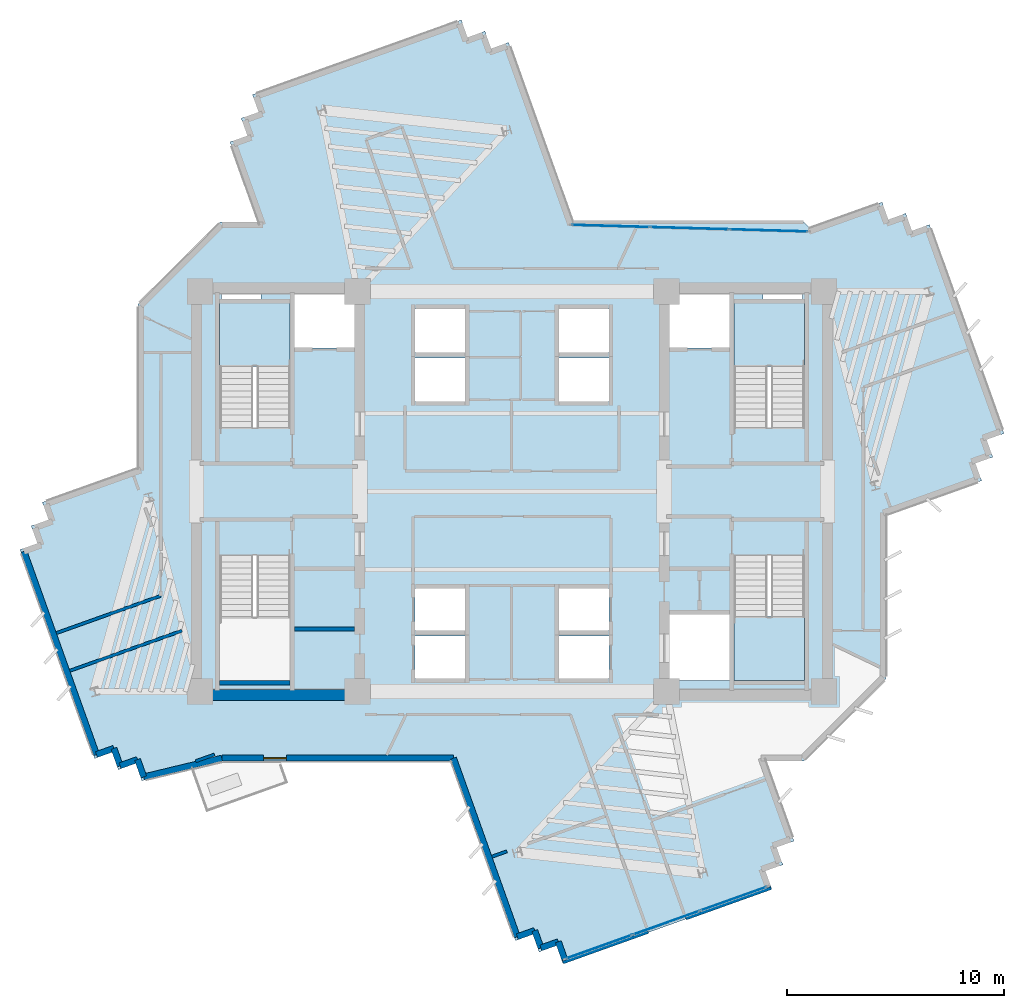
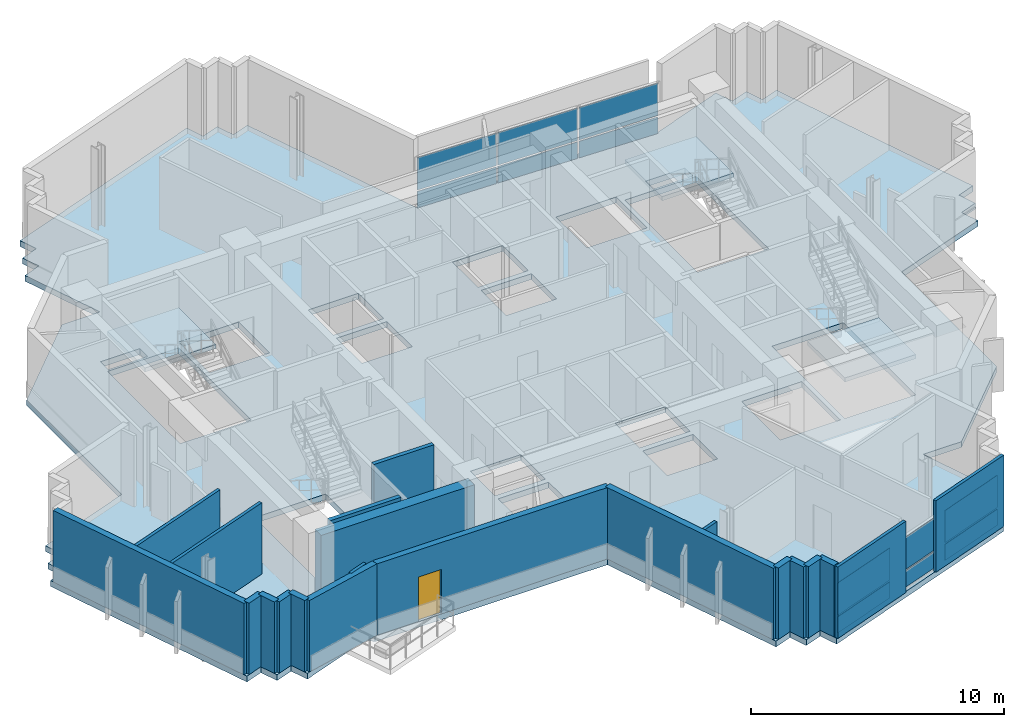
# One storey, part 5 of 13: 21 walls, 12 plates, 4 slabs, 1 door, 1 opening, 5 elements without a shape of their own.
"""IFC4 building model written with IfcOpenShell, lengths in metres."""

from ifc_helpers import new_model, si_unit, direction, frame, frame_2d, origin, origin_2d, place, context, subcontext, project, spatial, polyline, rectangle, outline, extrude, source, transform, mapped, material, layer, layer_set, type_object, element, fill, aggregate, save


model = new_model("IFC4")

# Units and contexts
model_context = context("Model", 3, precision=1e-05, world=origin(), true_north=direction((0.0, 1.0)))
body_context = subcontext(model_context, "Body", "Model", "MODEL_VIEW")
ifc_project = project(units=[si_unit("LENGTHUNIT", "METRE"), si_unit("AREAUNIT", "SQUARE_METRE"), si_unit("VOLUMEUNIT", "CUBIC_METRE"), si_unit("PLANEANGLEUNIT", "RADIAN"), si_unit("MASSUNIT", "GRAM", prefix="KILO")], contexts=[model_context])

# Site, building, storey
site_placement = place(None, origin())
site = spatial("IfcSite", under=ifc_project, at=site_placement, CompositionType="ELEMENT")
building_placement = place(site_placement, origin())
building = spatial("IfcBuilding", under=site, at=building_placement, Name="Zahravan Cultural Tower", CompositionType="ELEMENT")
storey_placement = place(building_placement, frame((0.0, 0.0, 225.300048828125)))
storey = spatial("IfcBuildingStorey", under=building, at=storey_placement, Name="L53", CompositionType="ELEMENT", Elevation=225.300048828125)

# Slab
ifc_material_1 = material(Name="Concrete C45/55", Category="concrete")
ifc_layer_1 = layer(ifc_material_1, 0.280029296875)
ifc_layer_set_1 = layer_set([ifc_layer_1], Name="Concrete C45/55")
slab_type_1 = type_object("IfcSlabType", Name="SL-LIB-280", PredefinedType="FLOOR", material=ifc_layer_set_1)
slab_1_placement = place(storey_placement, frame((0.0, 0.0, -0.280029296875)))
element("IfcSlab", 1, at=slab_1_placement, inside=storey, type_object=slab_type_1, Name="L53 Structural Floor Slab", PredefinedType="FLOOR", context=body_context, shape_type="SweptSolid", body=[
    extrude(outline(polyline([(49.68701171875, 39.113037109375), (49.39990234375, 39.39990234375), (38.78955078125, 39.39990234375), (35.840576171875, 47.65087890625), (35.040283203125, 47.364990234375), (34.754150390625, 48.165283203125), (33.95361328125, 47.87939453125), (33.667724609375, 48.6796875), (24.062744140625, 45.246826171875), (24.3486328125, 44.446533203125), (23.54833984375, 44.160400390625), (23.83447265625, 43.360107421875), (23.033935546875, 43.073974609375), (24.34716796875, 39.39990234375), (22.60009765625, 39.39990234375), (18.800048828125, 35.60009765625), (18.800048828125, 28.073974609375), (14.4072265625, 26.504150390625), (14.693359375, 25.70361328125), (13.89306640625, 25.41748046875), (14.178955078125, 24.6171875), (13.378662109375, 24.3310546875), (16.811279296875, 14.72607421875), (17.61181640625, 15.01220703125), (17.89794921875, 14.2119140625), (18.6982421875, 14.497802734375), (18.984375, 13.697509765625), (22.31298828125, 14.886962890625), (22.60009765625, 14.60009765625), (33.21044921875, 14.60009765625), (36.159423828125, 6.34912109375), (36.959716796875, 6.635009765625), (37.245849609375, 5.834716796875), (38.04638671875, 6.12060546875), (38.332275390625, 5.3203125), (47.937255859375, 8.753173828125), (47.6513671875, 9.553466796875), (48.45166015625, 9.839599609375), (48.16552734375, 10.639892578125), (48.966064453125, 10.926025390625), (47.65283203125, 14.60009765625), (49.39990234375, 14.60009765625), (53.199951171875, 18.39990234375), (53.199951171875, 25.926025390625), (57.5927734375, 27.495849609375), (57.306640625, 28.29638671875), (58.10693359375, 28.58251953125), (57.821044921875, 29.3828125), (58.621337890625, 29.6689453125), (55.188720703125, 39.27392578125), (54.38818359375, 38.98779296875), (54.10205078125, 39.7880859375), (53.3017578125, 39.502197265625), (53.015625, 40.302490234375), (49.68701171875, 39.113037109375)]), holes=[polyline([(22.550048828125, 29.949951171875), (22.550048828125, 35.699951171875), (25.800048828125, 35.699951171875), (25.800048828125, 29.949951171875), (22.550048828125, 29.949951171875)]), polyline([(22.550048828125, 18.300048828125), (22.550048828125, 24.050048828125), (25.800048828125, 24.050048828125), (25.800048828125, 18.300048828125), (22.550048828125, 18.300048828125)]), polyline([(46.199951171875, 29.949951171875), (46.199951171875, 35.699951171875), (49.449951171875, 35.699951171875), (49.449951171875, 29.949951171875), (46.199951171875, 29.949951171875)]), polyline([(46.199951171875, 18.300048828125), (46.199951171875, 24.050048828125), (49.449951171875, 24.050048828125), (49.449951171875, 18.300048828125), (46.199951171875, 18.300048828125)]), polyline([(26.0, 33.60009765625), (26.0, 36.050048828125), (28.75, 36.050048828125), (28.75, 33.60009765625), (26.0, 33.60009765625)]), polyline([(43.25, 33.60009765625), (43.25, 36.050048828125), (46.0, 36.050048828125), (46.0, 33.60009765625), (43.25, 33.60009765625)]), polyline([(43.25, 18.300048828125), (43.25, 21.35009765625), (46.0, 21.35009765625), (46.0, 18.300048828125), (43.25, 18.300048828125)]), polyline([(31.550048828125, 33.39990234375), (31.550048828125, 35.39990234375), (33.85009765625, 35.39990234375), (33.85009765625, 33.39990234375), (31.550048828125, 33.39990234375)]), polyline([(31.550048828125, 31.14990234375), (31.550048828125, 33.14990234375), (33.85009765625, 33.14990234375), (33.85009765625, 31.14990234375), (31.550048828125, 31.14990234375)]), polyline([(38.14990234375, 33.39990234375), (38.14990234375, 35.39990234375), (40.449951171875, 35.39990234375), (40.449951171875, 33.39990234375), (38.14990234375, 33.39990234375)]), polyline([(38.14990234375, 31.14990234375), (38.14990234375, 33.14990234375), (40.449951171875, 33.14990234375), (40.449951171875, 31.14990234375), (38.14990234375, 31.14990234375)]), polyline([(31.550048828125, 20.60009765625), (31.550048828125, 22.550048828125), (33.85009765625, 22.550048828125), (33.85009765625, 20.60009765625), (31.550048828125, 20.60009765625)]), polyline([(31.550048828125, 18.39990234375), (31.550048828125, 20.35009765625), (33.85009765625, 20.35009765625), (33.85009765625, 18.39990234375), (31.550048828125, 18.39990234375)]), polyline([(38.14990234375, 20.60009765625), (38.14990234375, 22.550048828125), (40.449951171875, 22.550048828125), (40.449951171875, 20.60009765625), (38.14990234375, 20.60009765625)]), polyline([(38.14990234375, 18.39990234375), (38.14990234375, 20.35009765625), (40.449951171875, 20.35009765625), (40.449951171875, 18.39990234375), (38.14990234375, 18.39990234375)]), polyline([(22.64990234375, 35.800048828125), (22.64990234375, 36.419921875), (24.449951171875, 36.419921875), (24.449951171875, 35.800048828125), (22.64990234375, 35.800048828125)]), polyline([(47.550048828125, 35.800048828125), (47.550048828125, 36.419921875), (49.35009765625, 36.419921875), (49.35009765625, 35.800048828125), (47.550048828125, 35.800048828125)])]), origin(), (0.0, 0.0, 1.0), 0.280029296875),
])

# Stair, slab
stair_type = type_object("IfcStairType", Name="STR-DL-1550-390", PredefinedType="HALF_TURN_STAIR", material=ifc_material_1)
stair_1_placement = place(storey_placement, origin())
stair_1 = element("IfcStair", 2, at=stair_1_placement, inside=storey, type_object=stair_type, Name="L53 West Core North Exit Stair ST-W1", PredefinedType="HALF_TURN_STAIR")
ifc_layer_2 = layer(ifc_material_1, 0.199951171875)
ifc_layer_set_2 = layer_set([ifc_layer_2], Name="Concrete C45/55")
slab_type_2 = type_object("IfcSlabType", Name="SL-STAIR-LND200", PredefinedType="LANDING", material=ifc_layer_set_2)
slab_2_placement = place(storey_placement, frame((0.0, 0.0, 1.75)))
slab_2 = element("IfcSlab", 3, at=slab_2_placement, type_object=slab_type_2, Name="ST-W1 landing 1", PredefinedType="LANDING", context=body_context, shape_type="SweptSolid", body=[
    extrude(outline(polyline([(25.800048828125, 32.75), (25.800048828125, 35.699951171875), (22.550048828125, 35.699951171875), (22.550048828125, 32.75), (25.800048828125, 32.75)])), origin(), (0.0, 0.0, 1.0), 0.199951171875),
])
aggregate(stair_1, [slab_2])

stair_2_placement = place(storey_placement, origin())
stair_2 = element("IfcStair", 4, at=stair_2_placement, inside=storey, type_object=stair_type, Name="L53 East Core North Exit Stair ST-E1", PredefinedType="HALF_TURN_STAIR")
slab_3_placement = place(storey_placement, frame((0.0, 0.0, 1.75)))
slab_3 = element("IfcSlab", 5, at=slab_3_placement, type_object=slab_type_2, Name="ST-E1 landing 1", PredefinedType="LANDING", context=body_context, shape_type="SweptSolid", body=[
    extrude(outline(polyline([(49.449951171875, 32.75), (49.449951171875, 35.699951171875), (46.199951171875, 35.699951171875), (46.199951171875, 32.75), (49.449951171875, 32.75)])), origin(), (0.0, 0.0, 1.0), 0.199951171875),
])
aggregate(stair_2, [slab_3])

stair_3_placement = place(storey_placement, origin())
stair_3 = element("IfcStair", 6, at=stair_3_placement, inside=storey, type_object=stair_type, Name="L53 East Core South Exit Stair ST-E2", PredefinedType="HALF_TURN_STAIR")
slab_4_placement = place(storey_placement, frame((0.0, 0.0, 1.75)))
slab_4 = element("IfcSlab", 7, at=slab_4_placement, type_object=slab_type_2, Name="ST-E2 landing 1", PredefinedType="LANDING", context=body_context, shape_type="SweptSolid", body=[
    extrude(outline(polyline([(46.199951171875, 21.25), (46.199951171875, 18.300048828125), (49.449951171875, 18.300048828125), (49.449951171875, 21.25), (46.199951171875, 21.25)])), origin(), (0.0, 0.0, 1.0), 0.199951171875),
])
aggregate(stair_3, [slab_4])

# Curtain wall, plates
ifc_material_2 = material(Name="Anodised bronze-aluminium mullion", Category="aluminium")
ifc_layer_3 = layer(ifc_material_2, 0.199951171875)
ifc_layer_set_3 = layer_set([ifc_layer_3], Name="Anodised bronze-aluminium mullion")
curtain_wall_type_1 = type_object("IfcCurtainWallType", Name="CW-SYS-2", PredefinedType="USERDEFINED", material=ifc_layer_set_3)
curtain_wall_1_placement = place(storey_placement, origin())
curtain_wall_1 = element("IfcCurtainWall", 8, at=curtain_wall_1_placement, inside=storey, type_object=curtain_wall_type_1, Name="L53 Recessed Curtain Wall CW-2.1", ObjectType="RECESSED GLAZING", PredefinedType="USERDEFINED")
ifc_material_3 = material(Name="Low-E solar-control double glazing", Category="glass")
ifc_layer_4 = layer(ifc_material_3, 0.030029296875)
ifc_layer_set_4 = layer_set([ifc_layer_4], Name="Low-E solar-control double glazing")
plate_type_1 = type_object("IfcPlateType", Name="CWP-CW-2", PredefinedType="CURTAIN_PANEL", material=ifc_layer_set_4)
shared_shape_1 = source(origin(), body_context, "Body", "SweptSolid", [
    extrude(rectangle(XDim=3.194091796875, YDim=0.030029296875, at=origin_2d()), origin(), (0.0, 0.0, 1.0), 0.78759765625),
])
plate_1_placement = place(storey_placement, frame((46.183837890625, 8.275146484375, 0.074951171875), z_axis=(0.0, 0.0, 1.0), x_axis=(-0.941668907727, -0.336540737832, 0.0)))
plate_1 = element("IfcPlate", 9, at=plate_1_placement, type_object=plate_type_1, Name="CW-2 panel 1.1", PredefinedType="CURTAIN_PANEL", context=body_context, shape_type="MappedRepresentation", body=[
    mapped(shared_shape_1, transform((0.0, 0.0, 0.0), x_axis=(1.0, 0.0, 0.0), y_axis=(0.0, 1.0, 0.0), z_axis=(0.0, 0.0, 1.0), scale=1.0)),
])
plate_2_placement = place(storey_placement, frame((39.991455078125, 6.06201171875, 0.074951171875), z_axis=(0.0, 0.0, 1.0), x_axis=(-0.941668907727, -0.336540737832, 0.0)))
plate_2 = element("IfcPlate", 10, at=plate_2_placement, type_object=plate_type_1, Name="CW-2 panel 3.1", PredefinedType="CURTAIN_PANEL", context=body_context, shape_type="MappedRepresentation", body=[
    mapped(shared_shape_1, transform((0.0, 0.0, 0.0), x_axis=(1.0, 0.0, 0.0), y_axis=(0.0, 1.0, 0.0), z_axis=(0.0, 0.0, 1.0), scale=1.0)),
])
shared_shape_2 = source(origin(), body_context, "Body", "SweptSolid", [
    extrude(rectangle(XDim=3.231689453125, YDim=0.030029296875, at=origin_2d()), origin(), (0.0, 0.0, 1.0), 0.78759765625),
])
plate_3_placement = place(storey_placement, frame((43.087646484375, 7.16845703125, 0.074951171875), z_axis=(0.0, 0.0, 1.0), x_axis=(-0.941668907727, -0.336540737832, 0.0)))
plate_3 = element("IfcPlate", 11, at=plate_3_placement, type_object=plate_type_1, Name="CW-2 panel 2.1", PredefinedType="CURTAIN_PANEL", context=body_context, shape_type="MappedRepresentation", body=[
    mapped(shared_shape_2, transform((0.0, 0.0, 0.0), x_axis=(1.0, 0.0, 0.0), y_axis=(0.0, 1.0, 0.0), z_axis=(0.0, 0.0, 1.0), scale=1.0)),
])

ifc_layer_5 = layer(ifc_material_2, 0.179931640625)
ifc_layer_set_5 = layer_set([ifc_layer_5], Name="Anodised bronze-aluminium mullion")
curtain_wall_type_2 = type_object("IfcCurtainWallType", Name="CW-SYS-3", PredefinedType="USERDEFINED", material=ifc_layer_set_5)
curtain_wall_2_placement = place(storey_placement, origin())
curtain_wall_2 = element("IfcCurtainWall", 12, at=curtain_wall_2_placement, inside=storey, type_object=curtain_wall_type_2, Name="L53 Recessed Curtain Wall CW-3.2", ObjectType="RECESSED GLAZING", PredefinedType="USERDEFINED")
ifc_layer_6 = layer(ifc_material_3, 0.028076171875)
ifc_layer_set_6 = layer_set([ifc_layer_6], Name="Low-E solar-control double glazing")
plate_type_2 = type_object("IfcPlateType", Name="CWP-CW-3", PredefinedType="CURTAIN_PANEL", material=ifc_layer_set_6)
shared_shape_3 = source(origin(), body_context, "Body", "SweptSolid", [
    extrude(rectangle(XDim=3.5498046875, YDim=0.028076171875, at=origin_2d()), origin(), (0.0, 0.0, 1.0), 0.794921875),
])
plate_4_placement = place(storey_placement, frame((40.534912109375, 39.2080078125, 0.070068359375), z_axis=(0.0, 0.0, 1.0), x_axis=(0.999603557974, -0.028155405977, 0.0)))
plate_4 = element("IfcPlate", 13, at=plate_4_placement, type_object=plate_type_2, Name="CW-3 panel 1.1", PredefinedType="CURTAIN_PANEL", context=body_context, shape_type="MappedRepresentation", body=[
    mapped(shared_shape_3, transform((0.0, 0.0, 0.0), x_axis=(1.0, 0.0, 0.0), y_axis=(0.0, 1.0, 0.0), z_axis=(0.0, 0.0, 1.0), scale=1.0)),
])
plate_5_placement = place(storey_placement, frame((47.806640625, 39.003173828125, 0.070068359375), z_axis=(0.0, 0.0, 1.0), x_axis=(0.999603557974, -0.028155405977, 0.0)))
plate_5 = element("IfcPlate", 14, at=plate_5_placement, type_object=plate_type_2, Name="CW-3 panel 3.1", PredefinedType="CURTAIN_PANEL", context=body_context, shape_type="MappedRepresentation", body=[
    mapped(shared_shape_3, transform((0.0, 0.0, 0.0), x_axis=(1.0, 0.0, 0.0), y_axis=(0.0, 1.0, 0.0), z_axis=(0.0, 0.0, 1.0), scale=1.0)),
])
shared_shape_4 = source(origin(), body_context, "Body", "SweptSolid", [
    extrude(rectangle(XDim=3.584716796875, YDim=0.028076171875, at=origin_2d()), origin(), (0.0, 0.0, 1.0), 0.794921875),
])
plate_6_placement = place(storey_placement, frame((44.1708984375, 39.105712890625, 0.070068359375), z_axis=(0.0, 0.0, 1.0), x_axis=(0.999603557974, -0.028155405977, 0.0)))
plate_6 = element("IfcPlate", 15, at=plate_6_placement, type_object=plate_type_2, Name="CW-3 panel 2.1", PredefinedType="CURTAIN_PANEL", context=body_context, shape_type="MappedRepresentation", body=[
    mapped(shared_shape_4, transform((0.0, 0.0, 0.0), x_axis=(1.0, 0.0, 0.0), y_axis=(0.0, 1.0, 0.0), z_axis=(0.0, 0.0, 1.0), scale=1.0)),
])

# Plate
shared_shape_5 = source(origin(), body_context, "Body", "SweptSolid", [
    extrude(rectangle(XDim=3.194091796875, YDim=0.030029296875, at=origin_2d()), origin(), (0.0, 0.0, 1.0), 1.5576171875),
])
plate_7_placement = place(storey_placement, frame((46.183837890625, 8.275146484375, 0.9375), z_axis=(0.0, 0.0, 1.0), x_axis=(-0.941668907727, -0.336540737832, 0.0)))
plate_7 = element("IfcPlate", 16, at=plate_7_placement, type_object=plate_type_1, Name="CW-2 panel 1.2", PredefinedType="CURTAIN_PANEL", context=body_context, shape_type="MappedRepresentation", body=[
    mapped(shared_shape_5, transform((0.0, 0.0, 0.0), x_axis=(1.0, 0.0, 0.0), y_axis=(0.0, 1.0, 0.0), z_axis=(0.0, 0.0, 1.0), scale=1.0)),
])

plate_8_placement = place(storey_placement, frame((39.991455078125, 6.06201171875, 0.9375), z_axis=(0.0, 0.0, 1.0), x_axis=(-0.941668907727, -0.336540737832, 0.0)))
plate_8 = element("IfcPlate", 17, at=plate_8_placement, type_object=plate_type_1, Name="CW-2 panel 3.2", PredefinedType="CURTAIN_PANEL", context=body_context, shape_type="MappedRepresentation", body=[
    mapped(shared_shape_5, transform((0.0, 0.0, 0.0), x_axis=(1.0, 0.0, 0.0), y_axis=(0.0, 1.0, 0.0), z_axis=(0.0, 0.0, 1.0), scale=1.0)),
])

shared_shape_6 = source(origin(), body_context, "Body", "SweptSolid", [
    extrude(rectangle(XDim=3.231689453125, YDim=0.030029296875, at=origin_2d()), origin(), (0.0, 0.0, 1.0), 1.5576171875),
])
plate_9_placement = place(storey_placement, frame((43.087646484375, 7.16845703125, 0.9375), z_axis=(0.0, 0.0, 1.0), x_axis=(-0.941668907727, -0.336540737832, 0.0)))
plate_9 = element("IfcPlate", 18, at=plate_9_placement, type_object=plate_type_1, Name="CW-2 panel 2.2", PredefinedType="CURTAIN_PANEL", context=body_context, shape_type="MappedRepresentation", body=[
    mapped(shared_shape_6, transform((0.0, 0.0, 0.0), x_axis=(1.0, 0.0, 0.0), y_axis=(0.0, 1.0, 0.0), z_axis=(0.0, 0.0, 1.0), scale=1.0)),
])

aggregate(curtain_wall_1, [plate_1, plate_7, plate_3, plate_9, plate_2, plate_8])

shared_shape_7 = source(origin(), body_context, "Body", "SweptSolid", [
    extrude(rectangle(XDim=3.5498046875, YDim=0.028076171875, at=origin_2d()), origin(), (0.0, 0.0, 1.0), 1.56494140625),
])
plate_10_placement = place(storey_placement, frame((40.534912109375, 39.2080078125, 0.93505859375), z_axis=(0.0, 0.0, 1.0), x_axis=(0.999603557974, -0.028155405977, 0.0)))
plate_10 = element("IfcPlate", 19, at=plate_10_placement, type_object=plate_type_2, Name="CW-3 panel 1.2", PredefinedType="CURTAIN_PANEL", context=body_context, shape_type="MappedRepresentation", body=[
    mapped(shared_shape_7, transform((0.0, 0.0, 0.0), x_axis=(1.0, 0.0, 0.0), y_axis=(0.0, 1.0, 0.0), z_axis=(0.0, 0.0, 1.0), scale=1.0)),
])

plate_11_placement = place(storey_placement, frame((47.806640625, 39.003173828125, 0.93505859375), z_axis=(0.0, 0.0, 1.0), x_axis=(0.999603557974, -0.028155405977, 0.0)))
plate_11 = element("IfcPlate", 20, at=plate_11_placement, type_object=plate_type_2, Name="CW-3 panel 3.2", PredefinedType="CURTAIN_PANEL", context=body_context, shape_type="MappedRepresentation", body=[
    mapped(shared_shape_7, transform((0.0, 0.0, 0.0), x_axis=(1.0, 0.0, 0.0), y_axis=(0.0, 1.0, 0.0), z_axis=(0.0, 0.0, 1.0), scale=1.0)),
])

shared_shape_8 = source(origin(), body_context, "Body", "SweptSolid", [
    extrude(rectangle(XDim=3.584716796875, YDim=0.028076171875, at=origin_2d()), origin(), (0.0, 0.0, 1.0), 1.56494140625),
])
plate_12_placement = place(storey_placement, frame((44.1708984375, 39.105712890625, 0.93505859375), z_axis=(0.0, 0.0, 1.0), x_axis=(0.999603557974, -0.028155405977, 0.0)))
plate_12 = element("IfcPlate", 21, at=plate_12_placement, type_object=plate_type_2, Name="CW-3 panel 2.2", PredefinedType="CURTAIN_PANEL", context=body_context, shape_type="MappedRepresentation", body=[
    mapped(shared_shape_8, transform((0.0, 0.0, 0.0), x_axis=(1.0, 0.0, 0.0), y_axis=(0.0, 1.0, 0.0), z_axis=(0.0, 0.0, 1.0), scale=1.0)),
])

aggregate(curtain_wall_2, [plate_4, plate_10, plate_6, plate_12, plate_5, plate_11])

# Wall, opening, door
ifc_material_4 = material(Name="Precast concrete C40/50", Category="concrete")
ifc_layer_7 = layer(ifc_material_4, 0.280029296875)
ifc_layer_set_7 = layer_set([ifc_layer_7], Name="Precast concrete C40/50")
wall_type_1 = type_object("IfcWallType", Name="EW-TC-280", PredefinedType="SOLIDWALL", material=ifc_layer_set_7)
wall_1_placement = place(storey_placement, frame((33.30908203125, 14.739990234375, 0.0), z_axis=(0.0, 0.0, 1.0), x_axis=(-1.0, 0.0, 0.0)))
wall_1 = element("IfcWall", 22, at=wall_1_placement, inside=storey, type_object=wall_type_1, Name="L53 Exterior Masonry Frame Wall 25", PredefinedType="SOLIDWALL", context=body_context, shape_type="SweptSolid", body=[
    extrude(rectangle(XDim=10.651123046875, YDim=0.280029296875, at=frame_2d((5.32568359375, 0.0))), origin(), (0.0, 0.0, 1.0), 3.449951171875),
])
opening_placement = place(wall_1_placement, frame((7.680908203125, 0.0, 0.0)))
opening = element("IfcOpeningElement", 23, at=opening_placement, cuts=wall_1, Name="Opening D-L53-TR-SW", PredefinedType="OPENING", context=body_context, shape_type="SweptSolid", body=[
    extrude(rectangle(XDim=1.050048828125, YDim=2.14990234375, at=frame_2d((0.52490234375, 1.074951171875))), frame((0.0, 0.14990234375, 0.0), z_axis=(0.0, -1.0, 0.0), x_axis=(1.0, 0.0, 0.0)), (0.0, 0.0, 1.0), 0.300048828125),
])
door_type = type_object("IfcDoorType", Name="DR-TERR-1050", OperationType="NOTDEFINED", PredefinedType="DOOR", material=ifc_material_2)
shared_shape_9 = source(origin(), body_context, "Body", "SweptSolid", [
    extrude(rectangle(XDim=1.050048828125, YDim=2.14990234375, at=frame_2d((0.52490234375, 1.074951171875))), frame((0.0, 0.02490234375, 0.0), z_axis=(0.0, -1.0, 0.0), x_axis=(1.0, 0.0, 0.0)), (0.0, 0.0, 1.0), 0.050048828125),
])
door_placement = place(opening_placement, origin())
door = element("IfcDoor", 24, at=door_placement, inside=storey, type_object=door_type, Name="L53 Terrace Access Door SW", OperationType="SINGLE_SWING_RIGHT", OverallHeight=2.14990234375, OverallWidth=1.050048828125, PredefinedType="DOOR", context=body_context, shape_type="MappedRepresentation", body=[
    mapped(shared_shape_9, transform((0.0, 0.0, 0.0), x_axis=(1.0, 0.0, 0.0), y_axis=(0.0, 1.0, 0.0), z_axis=(0.0, 0.0, 1.0), scale=1.0)),
])
fill(opening, door)

# Walls
ifc_material_5 = material(Name="Concrete C60/75", Category="concrete")
ifc_layer_8 = layer(ifc_material_5, 0.5)
ifc_layer_set_8 = layer_set([ifc_layer_8], Name="Concrete C60/75")
wall_type_2 = type_object("IfcWallType", Name="CW-SHEAR-500-C60", PredefinedType="SHEAR", material=ifc_layer_set_8)
shared_shape_10 = source(origin(), body_context, "Body", "SweptSolid", [
    extrude(rectangle(XDim=7.0, YDim=0.5, at=frame_2d((3.5, 0.0))), origin(), (0.0, 0.0, 1.0), 3.449951171875),
])
wall_2_placement = place(storey_placement, frame((21.75, 17.64990234375, 0.0), z_axis=(0.0, 0.0, 1.0), x_axis=(1.0, 0.0, 0.0)))
element("IfcWall", 25, at=wall_2_placement, inside=storey, type_object=wall_type_2, Name="L53 Core Shear Wall CW-W-S-L53", PredefinedType="SHEAR", context=body_context, shape_type="MappedRepresentation", body=[
    mapped(shared_shape_10, transform((0.0, 0.0, 0.0), x_axis=(1.0, 0.0, 0.0), y_axis=(0.0, 1.0, 0.0), z_axis=(0.0, 0.0, 1.0), scale=1.0)),
])
shared_shape_11 = source(origin(), body_context, "Body", "SweptSolid", [
    extrude(rectangle(XDim=0.850341796875, YDim=0.280029296875, at=frame_2d((0.42529296875, 0.0))), origin(), (0.0, 0.0, 1.0), 3.449951171875),
])
wall_3_placement = place(storey_placement, frame((19.069091796875, 13.876220703125, 0.0), z_axis=(0.0, 0.0, 1.0), x_axis=(-0.336481891926, 0.941689936447, 0.0)))
element("IfcWall", 26, at=wall_3_placement, inside=storey, type_object=wall_type_1, Name="L53 Exterior Masonry Frame Wall 27", PredefinedType="SOLIDWALL", context=body_context, shape_type="MappedRepresentation", body=[
    mapped(shared_shape_11, transform((0.0, 0.0, 0.0), x_axis=(1.0, 0.0, 0.0), y_axis=(0.0, 1.0, 0.0), z_axis=(0.0, 0.0, 1.0), scale=1.0)),
])
shared_shape_12 = source(origin(), body_context, "Body", "SweptSolid", [
    extrude(rectangle(XDim=0.849853515625, YDim=0.280029296875, at=frame_2d((0.4248046875, 0.0))), origin(), (0.0, 0.0, 1.0), 3.449951171875),
])
for number, where, z_axis, x_axis, name in (
    (27, (37.33056640625, 6.013671875, 0.0), (0.0, 0.0, 1.0), (-0.33666392638, 0.941624872587, 0.0), "L53 Exterior Masonry Frame Wall 22"),
    (28, (37.04443359375, 6.81396484375, 0.0), (0.0, 0.0, 1.0), (-0.941624872587, -0.33666392638, 0.0), "L53 Exterior Masonry Frame Wall 23"),
    (29, (18.782958984375, 14.677001953125, 0.0), (0.0, 0.0, 1.0), (-0.941624872587, -0.33666392638, 0.0), "L53 Exterior Masonry Frame Wall 28"),
    (30, (17.982666015625, 14.390869140625, 0.0), (0.0, 0.0, 1.0), (-0.33666392638, 0.941624872587, 0.0), "L53 Exterior Masonry Frame Wall 29"),
):
    element("IfcWall", number, at=place(storey_placement, frame(where, z_axis=z_axis, x_axis=x_axis)), inside=storey, type_object=wall_type_1, Name=name, PredefinedType="SOLIDWALL", context=body_context, shape_type="MappedRepresentation", body=[
        mapped(shared_shape_12, transform((0.0, 0.0, 0.0), x_axis=(1.0, 0.0, 0.0), y_axis=(0.0, 1.0, 0.0), z_axis=(0.0, 0.0, 1.0), scale=1.0)),
    ])
shared_shape_13 = source(origin(), body_context, "Body", "SweptSolid", [
    extrude(rectangle(XDim=0.85009765625, YDim=0.280029296875, at=frame_2d((0.425048828125, 0.0))), origin(), (0.0, 0.0, 1.0), 3.449951171875),
])
for number, where, z_axis, x_axis, name in (
    (31, (38.4169921875, 5.499267578125, 0.0), (0.0, 0.0, 1.0), (-0.336318202891, 0.941748409292, 0.0), "L53 Exterior Masonry Frame Wall 20"),
    (32, (38.131103515625, 6.2998046875, 0.0), (0.0, 0.0, 1.0), (-0.941657417713, -0.336572886112, 0.0), "L53 Exterior Masonry Frame Wall 21"),
    (33, (17.696533203125, 15.191162109375, 0.0), (0.0, 0.0, 1.0), (-0.941657417713, -0.336572886112, 0.0), "L53 Exterior Masonry Frame Wall 30"),
):
    element("IfcWall", number, at=place(storey_placement, frame(where, z_axis=z_axis, x_axis=x_axis)), inside=storey, type_object=wall_type_1, Name=name, PredefinedType="SOLIDWALL", context=body_context, shape_type="MappedRepresentation", body=[
        mapped(shared_shape_13, transform((0.0, 0.0, 0.0), x_axis=(1.0, 0.0, 0.0), y_axis=(0.0, 1.0, 0.0), z_axis=(0.0, 0.0, 1.0), scale=1.0)),
    ])
shared_shape_14 = source(origin(), body_context, "Body", "SweptSolid", [
    extrude(rectangle(XDim=9.919921875, YDim=0.280029296875, at=frame_2d((4.9599609375, 0.0))), origin(), (0.0, 0.0, 1.0), 3.449951171875),
])
wall_4_placement = place(storey_placement, frame((16.89599609375, 14.905029296875, 0.0), z_axis=(0.0, 0.0, 1.0), x_axis=(-0.336532833412, 0.941671732631, 0.0)))
element("IfcWall", 34, at=wall_4_placement, inside=storey, type_object=wall_type_1, Name="L53 Exterior Masonry Frame Wall 31", PredefinedType="SOLIDWALL", context=body_context, shape_type="MappedRepresentation", body=[
    mapped(shared_shape_14, transform((0.0, 0.0, 0.0), x_axis=(1.0, 0.0, 0.0), y_axis=(0.0, 1.0, 0.0), z_axis=(0.0, 0.0, 1.0), scale=1.0)),
])
shared_shape_15 = source(origin(), body_context, "Body", "SweptSolid", [
    extrude(rectangle(XDim=8.720947265625, YDim=0.280029296875, at=frame_2d((4.3603515625, 0.0))), origin(), (0.0, 0.0, 1.0), 3.449951171875),
])
wall_5_placement = place(storey_placement, frame((36.244140625, 6.52783203125, 0.0), z_axis=(0.0, 0.0, 1.0), x_axis=(-0.336554520074, 0.941663982011, 0.0)))
element("IfcWall", 35, at=wall_5_placement, inside=storey, type_object=wall_type_1, Name="L53 Exterior Masonry Frame Wall 24", PredefinedType="SOLIDWALL", context=body_context, shape_type="MappedRepresentation", body=[
    mapped(shared_shape_15, transform((0.0, 0.0, 0.0), x_axis=(1.0, 0.0, 0.0), y_axis=(0.0, 1.0, 0.0), z_axis=(0.0, 0.0, 1.0), scale=1.0)),
])
shared_shape_16 = source(origin(), body_context, "Body", "SweptSolid", [
    extrude(rectangle(XDim=3.69140625, YDim=0.280029296875, at=frame_2d((1.845703125, 0.0))), origin(), (0.0, 0.0, 1.0), 3.449951171875),
])
wall_6_placement = place(storey_placement, frame((22.657958984375, 14.739990234375, 0.0), z_axis=(0.0, 0.0, 1.0), x_axis=(-0.972237013355, -0.233998268929, 0.0)))
element("IfcWall", 36, at=wall_6_placement, inside=storey, type_object=wall_type_1, Name="L53 Exterior Masonry Frame Wall 26", PredefinedType="SOLIDWALL", context=body_context, shape_type="MappedRepresentation", body=[
    mapped(shared_shape_16, transform((0.0, 0.0, 0.0), x_axis=(1.0, 0.0, 0.0), y_axis=(0.0, 1.0, 0.0), z_axis=(0.0, 0.0, 1.0), scale=1.0)),
])
ifc_layer_9 = layer(ifc_material_1, 0.199951171875)
ifc_layer_set_9 = layer_set([ifc_layer_9], Name="Concrete C45/55")
wall_type_3 = type_object("IfcWallType", Name="W-SHAFT-200", PredefinedType="SOLIDWALL", material=ifc_layer_set_9)
shared_shape_17 = source(origin(), body_context, "Body", "SweptSolid", [
    extrude(rectangle(XDim=3.25, YDim=0.199951171875, at=frame_2d((1.625, 0.0))), origin(), (0.0, 0.0, 1.0), 3.449951171875),
])
wall_7_placement = place(storey_placement, frame((22.550048828125, 18.199951171875, 0.0), z_axis=(0.0, 0.0, 1.0), x_axis=(1.0, 0.0, 0.0)))
element("IfcWall", 37, at=wall_7_placement, inside=storey, type_object=wall_type_3, Name="L53 Interior Wall 019", PredefinedType="SOLIDWALL", context=body_context, shape_type="MappedRepresentation", body=[
    mapped(shared_shape_17, transform((0.0, 0.0, 0.0), x_axis=(1.0, 0.0, 0.0), y_axis=(0.0, 1.0, 0.0), z_axis=(0.0, 0.0, 1.0), scale=1.0)),
])
ifc_material_6 = material(Name="Gypsum plasterboard partition")
ifc_layer_10 = layer(ifc_material_6, 0.179931640625)
ifc_layer_set_10 = layer_set([ifc_layer_10], Name="Gypsum plasterboard partition")
wall_type_4 = type_object("IfcWallType", Name="W-COMP-180", PredefinedType="PARTITIONING", material=ifc_layer_set_10)
shared_shape_18 = source(origin(), body_context, "Body", "SweptSolid", [
    extrude(rectangle(XDim=2.75, YDim=0.179931640625, at=frame_2d((1.375, 0.0))), origin(), (0.0, 0.0, 1.0), 3.449951171875),
])
wall_8_placement = place(storey_placement, frame((26.0, 20.679931640625, 0.0), z_axis=(0.0, 0.0, 1.0), x_axis=(1.0, 0.0, 0.0)))
element("IfcWall", 38, at=wall_8_placement, inside=storey, type_object=wall_type_4, Name="L53 Interior Wall 026", PredefinedType="PARTITIONING", context=body_context, shape_type="MappedRepresentation", body=[
    mapped(shared_shape_18, transform((0.0, 0.0, 0.0), x_axis=(1.0, 0.0, 0.0), y_axis=(0.0, 1.0, 0.0), z_axis=(0.0, 0.0, 1.0), scale=1.0)),
])
ifc_layer_11 = layer(ifc_material_6, 0.139892578125)
ifc_layer_set_11 = layer_set([ifc_layer_11], Name="Gypsum plasterboard partition")
wall_type_5 = type_object("IfcWallType", Name="W-PART-140", PredefinedType="PARTITIONING", material=ifc_layer_set_11)
shared_shape_19 = source(origin(), body_context, "Body", "SweptSolid", [
    extrude(rectangle(XDim=4.159912109375, YDim=0.139892578125, at=frame_2d((2.080078125, 0.0))), origin(), (0.0, 0.0, 1.0), 3.449951171875),
])
for number, where, z_axis, x_axis, name in (
    (39, (47.91162109375, 8.76513671875, 0.0), (0.0, 0.0, 1.0), (-0.94167417377, -0.336526002642, 0.0), "L53 Interior Wall 084"),
    (40, (42.26171875, 6.745849609375, 0.0), (0.0, 0.0, 1.0), (-0.94167417377, -0.336526002642, 0.0), "L53 Interior Wall 090"),
):
    element("IfcWall", number, at=place(storey_placement, frame(where, z_axis=z_axis, x_axis=x_axis)), inside=storey, type_object=wall_type_5, Name=name, PredefinedType="PARTITIONING", context=body_context, shape_type="MappedRepresentation", body=[
        mapped(shared_shape_19, transform((0.0, 0.0, 0.0), x_axis=(1.0, 0.0, 0.0), y_axis=(0.0, 1.0, 0.0), z_axis=(0.0, 0.0, 1.0), scale=1.0)),
    ])
shared_shape_20 = source(origin(), body_context, "Body", "SweptSolid", [
    extrude(rectangle(XDim=0.72607421875, YDim=0.139892578125, at=frame_2d((0.363037109375, 0.0))), origin(), (0.0, 0.0, 1.0), 3.449951171875),
])
wall_9_placement = place(storey_placement, frame((35.08154296875, 10.211669921875, 0.0), z_axis=(0.0, 0.0, 1.0), x_axis=(0.941779940629, 0.33622989669, 0.0)))
element("IfcWall", 41, at=wall_9_placement, inside=storey, type_object=wall_type_5, Name="L53 Interior Wall 091", PredefinedType="PARTITIONING", context=body_context, shape_type="MappedRepresentation", body=[
    mapped(shared_shape_20, transform((0.0, 0.0, 0.0), x_axis=(1.0, 0.0, 0.0), y_axis=(0.0, 1.0, 0.0), z_axis=(0.0, 0.0, 1.0), scale=1.0)),
])
shared_shape_21 = source(origin(), body_context, "Body", "SweptSolid", [
    extrude(rectangle(XDim=5.09326171875, YDim=0.139892578125, at=frame_2d((2.546630859375, 0.0))), origin(), (0.0, 0.0, 1.0), 3.449951171875),
])
wall_10_placement = place(storey_placement, frame((19.849853515625, 22.205078125, 0.0), z_axis=(0.0, 0.0, 1.0), x_axis=(-0.941667058904, -0.336545910947, 0.0)))
element("IfcWall", 42, at=wall_10_placement, inside=storey, type_object=wall_type_5, Name="L53 Interior Wall 096", PredefinedType="PARTITIONING", context=body_context, shape_type="MappedRepresentation", body=[
    mapped(shared_shape_21, transform((0.0, 0.0, 0.0), x_axis=(1.0, 0.0, 0.0), y_axis=(0.0, 1.0, 0.0), z_axis=(0.0, 0.0, 1.0), scale=1.0)),
])
shared_shape_22 = source(origin(), body_context, "Body", "SweptSolid", [
    extrude(rectangle(XDim=5.47265625, YDim=0.139892578125, at=frame_2d((2.736328125, 0.0))), origin(), (0.0, 0.0, 1.0), 3.449951171875),
])
wall_11_placement = place(storey_placement, frame((15.673095703125, 18.75830078125, 0.0), z_axis=(0.0, 0.0, 1.0), x_axis=(0.941665179086, 0.336551170695, 0.0)))
element("IfcWall", 43, at=wall_11_placement, inside=storey, type_object=wall_type_5, Name="L53 Interior Wall 108", PredefinedType="PARTITIONING", context=body_context, shape_type="MappedRepresentation", body=[
    mapped(shared_shape_22, transform((0.0, 0.0, 0.0), x_axis=(1.0, 0.0, 0.0), y_axis=(0.0, 1.0, 0.0), z_axis=(0.0, 0.0, 1.0), scale=1.0)),
])
shared_shape_23 = source(origin(), body_context, "Body", "SweptSolid", [
    extrude(rectangle(XDim=0.910888671875, YDim=0.139892578125, at=frame_2d((0.45556640625, 0.0))), origin(), (0.0, 0.0, 1.0), 3.449951171875),
])
wall_12_placement = place(storey_placement, frame((22.31689453125, 14.905517578125, 0.0), z_axis=(0.0, 0.0, 1.0), x_axis=(-0.942111242134, -0.335300473374, 0.0)))
element("IfcWall", 44, at=wall_12_placement, inside=storey, type_object=wall_type_5, Name="L53 Interior Wall 107", PredefinedType="PARTITIONING", context=body_context, shape_type="MappedRepresentation", body=[
    mapped(shared_shape_23, transform((0.0, 0.0, 0.0), x_axis=(1.0, 0.0, 0.0), y_axis=(0.0, 1.0, 0.0), z_axis=(0.0, 0.0, 1.0), scale=1.0)),
])

save(model, "model.ifc")
